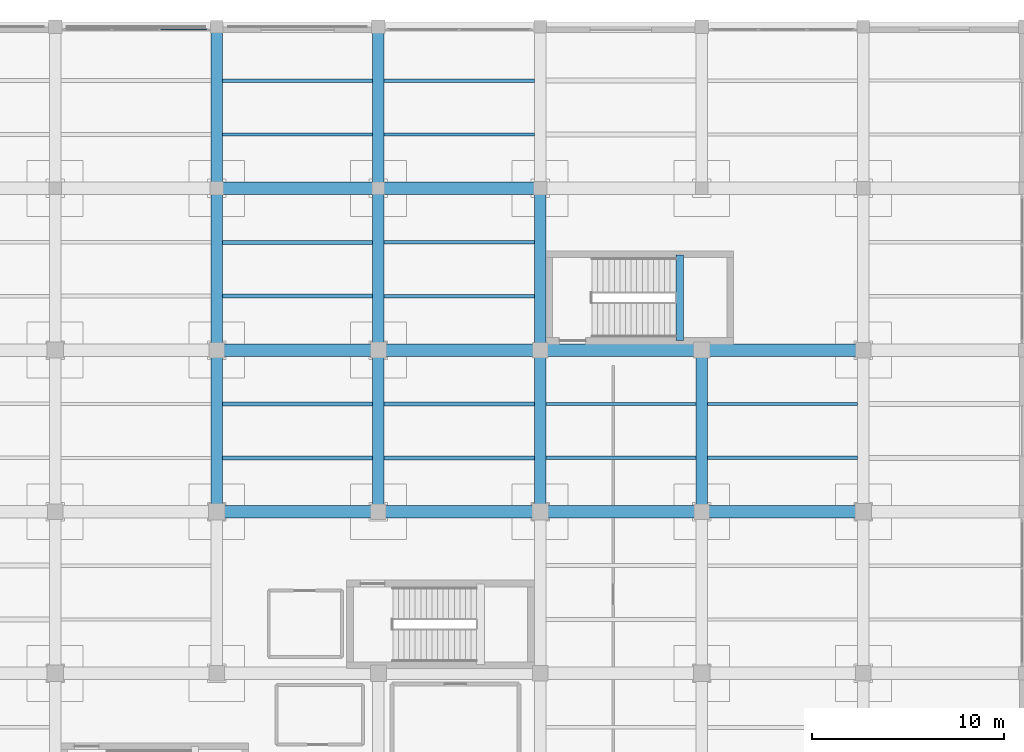
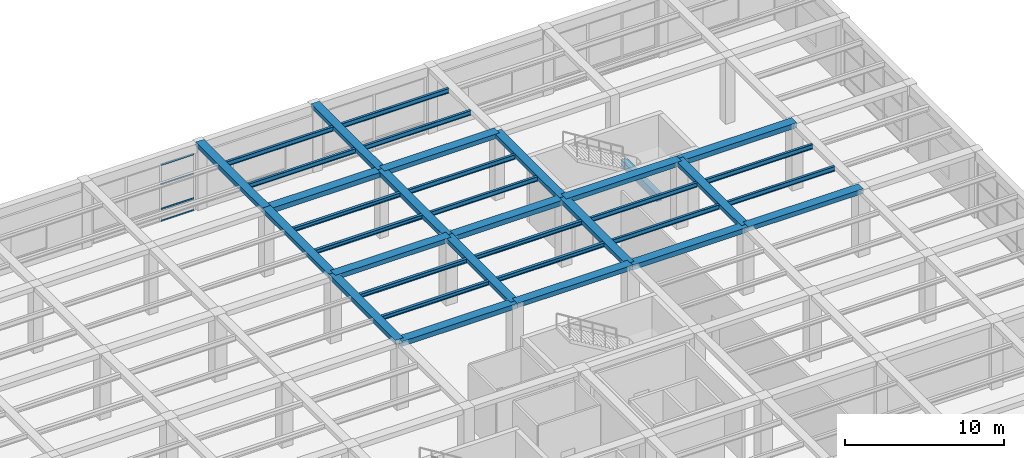
# One storey, part 59 of 96: 36 beams, 4 members, 1 element without a shape of its own.
"""IFC4 building model written with IfcOpenShell, lengths in metres."""

from ifc_helpers import new_model, si_unit, direction, frame, origin, origin_2d, place, context, subcontext, project, spatial, rectangle, hollow_rectangle, i_section, extrude, material, material_profile, profile_set, type_object, element, aggregate, save


model = new_model("IFC4")

# Units and contexts
model_context = context("Model", 3, precision=1e-05, world=origin(), true_north=direction((0.0, 1.0)))
body_context = subcontext(model_context, "Body", "Model", "MODEL_VIEW")
ifc_project = project(units=[si_unit("LENGTHUNIT", "METRE"), si_unit("AREAUNIT", "SQUARE_METRE"), si_unit("VOLUMEUNIT", "CUBIC_METRE"), si_unit("PLANEANGLEUNIT", "RADIAN"), si_unit("MASSUNIT", "GRAM", prefix="KILO")], contexts=[model_context])

# Site, building, storey
site_placement = place(None, origin())
site = spatial("IfcSite", under=ifc_project, at=site_placement, CompositionType="ELEMENT")
building_placement = place(site_placement, origin())
building = spatial("IfcBuilding", under=site, at=building_placement, Name="Almacenes y Pasaje Nevantli", CompositionType="ELEMENT")
storey_placement = place(building_placement, frame((0.0, 0.0, 6.0)))
storey = spatial("IfcBuildingStorey", under=building, at=storey_placement, Name="L02", CompositionType="ELEMENT", Elevation=6.0)

# Beams
ifc_material_1 = material(Name="Concrete C35/45", Category="concrete")
ifc_material_profile_1 = material_profile(ifc_material_1, rectangle(XDim=0.39990234375, YDim=0.60009765625, at=origin_2d()), Name="RC-BM-400x600")
ifc_profile_set_1 = profile_set([ifc_material_profile_1], Name="Concrete C35/45")
beam_type_1 = type_object("IfcBeamType", Name="BM-RC-400x600", PredefinedType="SPANDREL", material=ifc_profile_set_1)
beam_1_placement = place(storey_placement, frame((150.050048828125, 101.300048828125, 2.199951171875), z_axis=(0.0, 1.0, 0.0), x_axis=(-1.0, 0.0, 0.0)))
element("IfcBeam", 1, at=beam_1_placement, inside=storey, type_object=beam_type_1, Name="L02 Stair ST-07 Half-Landing Support Beam", PredefinedType="SPANDREL", context=body_context, shape_type="SweptSolid", body=[
    extrude(rectangle(XDim=0.39990234375, YDim=0.60009765625, at=origin_2d()), origin(), (0.0, 0.0, 1.0), 4.449951171875),
])
ifc_material_2 = material(Name="Concrete C35/45", Category="concrete")
ifc_material_profile_2 = material_profile(ifc_material_2, rectangle(XDim=0.60009765625, YDim=0.320068359375, at=origin_2d()), Name="RC-BM-600x320")
ifc_profile_set_2 = profile_set([ifc_material_profile_2], Name="Concrete C35/45")
beam_type_2 = type_object("IfcBeamType", Name="BM-RC-600x320", PredefinedType="BEAM", material=ifc_profile_set_2)
beam_2_placement = place(storey_placement, frame((126.0, 100.800048828125, 4.93994140625), z_axis=(0.0, 1.0, 0.0), x_axis=(-1.0, 0.0, 0.0)))
element("IfcBeam", 2, at=beam_2_placement, inside=storey, type_object=beam_type_2, Name="L02 North-South Reinforced Concrete Beam #2134", PredefinedType="BEAM", context=body_context, shape_type="SweptSolid", body=[
    extrude(rectangle(XDim=0.60009765625, YDim=0.320068359375, at=origin_2d()), origin(), (0.0, 0.0, 1.0), 8.39990234375),
])
for number, where, z_axis, x_axis, name in (
    (3, (134.39990234375, 92.39990234375, 4.93994140625), (0.0, 1.0, 0.0), (-1.0, 0.0, 0.0), "L02 North-South Reinforced Concrete Beam #2145"),
    (4, (134.39990234375, 109.199951171875, 4.93994140625), (0.0, 1.0, 0.0), (-1.0, 0.0, 0.0), "L02 North-South Reinforced Concrete Beam #2147"),
):
    element("IfcBeam", number, at=place(storey_placement, frame(where, z_axis=z_axis, x_axis=x_axis)), inside=storey, type_object=beam_type_2, Name=name, PredefinedType="BEAM", context=body_context, shape_type="SweptSolid", body=[
        extrude(rectangle(XDim=0.60009765625, YDim=0.320068359375, at=origin_2d()), origin(), (0.0, 0.0, 1.0), 8.400146484375),
    ])
beam_3_placement = place(storey_placement, frame((142.800048828125, 100.800048828125, 4.93994140625), z_axis=(0.0, 1.0, 0.0), x_axis=(-1.0, 0.0, 0.0)))
element("IfcBeam", 5, at=beam_3_placement, inside=storey, type_object=beam_type_2, Name="L02 North-South Reinforced Concrete Beam #2160", PredefinedType="BEAM", context=body_context, shape_type="SweptSolid", body=[
    extrude(rectangle(XDim=0.60009765625, YDim=0.320068359375, at=origin_2d()), origin(), (0.0, 0.0, 1.0), 8.39990234375),
])
beam_4_placement = place(storey_placement, frame((151.199951171875, 92.39990234375, 4.93994140625), z_axis=(0.0, 1.0, 0.0), x_axis=(-1.0, 0.0, 0.0)))
element("IfcBeam", 6, at=beam_4_placement, inside=storey, type_object=beam_type_2, Name="L02 North-South Reinforced Concrete Beam #2173", PredefinedType="BEAM", context=body_context, shape_type="SweptSolid", body=[
    extrude(rectangle(XDim=0.60009765625, YDim=0.320068359375, at=origin_2d()), origin(), (0.0, 0.0, 1.0), 8.400146484375),
])
ifc_material_3 = material(Name="Concrete C35/45", Category="concrete")
ifc_material_profile_3 = material_profile(ifc_material_3, rectangle(XDim=0.60009765625, YDim=0.340087890625, at=origin_2d()), Name="RC-BM-600x340")
ifc_profile_set_3 = profile_set([ifc_material_profile_3], Name="Concrete C35/45")
beam_type_3 = type_object("IfcBeamType", Name="BM-RC-600x340", PredefinedType="BEAM", material=ifc_profile_set_3)
for number, where, z_axis, x_axis, name in (
    (7, (126.0, 92.39990234375, 4.929931640625), (0.0, 1.0, 0.0), (-1.0, 0.0, 0.0), "L02 North-South Reinforced Concrete Beam #2133"),
    (8, (126.0, 109.199951171875, 4.929931640625), (0.0, 1.0, 0.0), (-1.0, 0.0, 0.0), "L02 North-South Reinforced Concrete Beam #2135"),
):
    element("IfcBeam", number, at=place(storey_placement, frame(where, z_axis=z_axis, x_axis=x_axis)), inside=storey, type_object=beam_type_3, Name=name, PredefinedType="BEAM", context=body_context, shape_type="SweptSolid", body=[
        extrude(rectangle(XDim=0.60009765625, YDim=0.340087890625, at=origin_2d()), origin(), (0.0, 0.0, 1.0), 8.400146484375),
    ])
beam_5_placement = place(storey_placement, frame((134.39990234375, 100.800048828125, 4.929931640625), z_axis=(0.0, 1.0, 0.0), x_axis=(-1.0, 0.0, 0.0)))
element("IfcBeam", 9, at=beam_5_placement, inside=storey, type_object=beam_type_3, Name="L02 North-South Reinforced Concrete Beam #2146", PredefinedType="BEAM", context=body_context, shape_type="SweptSolid", body=[
    extrude(rectangle(XDim=0.60009765625, YDim=0.340087890625, at=origin_2d()), origin(), (0.0, 0.0, 1.0), 8.39990234375),
])
beam_6_placement = place(storey_placement, frame((142.800048828125, 92.39990234375, 4.929931640625), z_axis=(0.0, 1.0, 0.0), x_axis=(-1.0, 0.0, 0.0)))
element("IfcBeam", 10, at=beam_6_placement, inside=storey, type_object=beam_type_3, Name="L02 North-South Reinforced Concrete Beam #2159", PredefinedType="BEAM", context=body_context, shape_type="SweptSolid", body=[
    extrude(rectangle(XDim=0.60009765625, YDim=0.340087890625, at=origin_2d()), origin(), (0.0, 0.0, 1.0), 8.400146484375),
])
ifc_material_4 = material(Name="Concrete C35/45", Category="concrete")
ifc_material_profile_4 = material_profile(ifc_material_4, rectangle(XDim=0.64990234375, YDim=0.35009765625, at=origin_2d()), Name="RC-BM-650x350")
ifc_profile_set_4 = profile_set([ifc_material_profile_4], Name="Concrete C35/45")
beam_type_4 = type_object("IfcBeamType", Name="BM-RC-650x350", PredefinedType="BEAM", material=ifc_profile_set_4)
for number, where, z_axis, x_axis, name in (
    (11, (134.39990234375, 92.39990234375, 4.925048828125), (1.0, 0.0, 0.0), (0.0, 1.0, 0.0), "L02 East-West Reinforced Concrete Beam #1908"),
    (12, (151.199951171875, 92.39990234375, 4.925048828125), (1.0, 0.0, 0.0), (0.0, 1.0, 0.0), "L02 East-West Reinforced Concrete Beam #1910"),
):
    element("IfcBeam", number, at=place(storey_placement, frame(where, z_axis=z_axis, x_axis=x_axis)), inside=storey, type_object=beam_type_4, Name=name, PredefinedType="BEAM", context=body_context, shape_type="SweptSolid", body=[
        extrude(rectangle(XDim=0.64990234375, YDim=0.35009765625, at=origin_2d()), origin(), (0.0, 0.0, 1.0), 8.400146484375),
    ])
for number, where, z_axis, x_axis, name in (
    (13, (126.0, 100.800048828125, 4.925048828125), (1.0, 0.0, 0.0), (0.0, 1.0, 0.0), "L02 East-West Reinforced Concrete Beam #1924"),
    (14, (142.800048828125, 100.800048828125, 4.925048828125), (1.0, 0.0, 0.0), (0.0, 1.0, 0.0), "L02 East-West Reinforced Concrete Beam #1926"),
):
    element("IfcBeam", number, at=place(storey_placement, frame(where, z_axis=z_axis, x_axis=x_axis)), inside=storey, type_object=beam_type_4, Name=name, PredefinedType="BEAM", context=body_context, shape_type="SweptSolid", body=[
        extrude(rectangle(XDim=0.64990234375, YDim=0.35009765625, at=origin_2d()), origin(), (0.0, 0.0, 1.0), 8.39990234375),
    ])
beam_7_placement = place(storey_placement, frame((134.39990234375, 109.199951171875, 4.925048828125), z_axis=(1.0, 0.0, 0.0), x_axis=(0.0, 1.0, 0.0)))
element("IfcBeam", 15, at=beam_7_placement, inside=storey, type_object=beam_type_4, Name="L02 East-West Reinforced Concrete Beam #1942", PredefinedType="BEAM", context=body_context, shape_type="SweptSolid", body=[
    extrude(rectangle(XDim=0.64990234375, YDim=0.35009765625, at=origin_2d()), origin(), (0.0, 0.0, 1.0), 8.400146484375),
])
ifc_material_5 = material(Name="Concrete C35/45", Category="concrete")
ifc_material_profile_5 = material_profile(ifc_material_5, rectangle(XDim=0.64990234375, YDim=0.3798828125, at=origin_2d()), Name="RC-BM-650x380")
ifc_profile_set_5 = profile_set([ifc_material_profile_5], Name="Concrete C35/45")
beam_type_5 = type_object("IfcBeamType", Name="BM-RC-650x380", PredefinedType="BEAM", material=ifc_profile_set_5)
for number, where, z_axis, x_axis, name in (
    (16, (126.0, 92.39990234375, 4.909912109375), (1.0, 0.0, 0.0), (0.0, 1.0, 0.0), "L02 East-West Reinforced Concrete Beam #1907"),
    (17, (142.800048828125, 92.39990234375, 4.909912109375), (1.0, 0.0, 0.0), (0.0, 1.0, 0.0), "L02 East-West Reinforced Concrete Beam #1909"),
):
    element("IfcBeam", number, at=place(storey_placement, frame(where, z_axis=z_axis, x_axis=x_axis)), inside=storey, type_object=beam_type_5, Name=name, PredefinedType="BEAM", context=body_context, shape_type="SweptSolid", body=[
        extrude(rectangle(XDim=0.64990234375, YDim=0.3798828125, at=origin_2d()), origin(), (0.0, 0.0, 1.0), 8.39990234375),
    ])
for number, where, z_axis, x_axis, name in (
    (18, (134.39990234375, 100.800048828125, 4.909912109375), (1.0, 0.0, 0.0), (0.0, 1.0, 0.0), "L02 East-West Reinforced Concrete Beam #1925"),
    (19, (151.199951171875, 100.800048828125, 4.909912109375), (1.0, 0.0, 0.0), (0.0, 1.0, 0.0), "L02 East-West Reinforced Concrete Beam #1927"),
):
    element("IfcBeam", number, at=place(storey_placement, frame(where, z_axis=z_axis, x_axis=x_axis)), inside=storey, type_object=beam_type_5, Name=name, PredefinedType="BEAM", context=body_context, shape_type="SweptSolid", body=[
        extrude(rectangle(XDim=0.64990234375, YDim=0.3798828125, at=origin_2d()), origin(), (0.0, 0.0, 1.0), 8.400146484375),
    ])
beam_8_placement = place(storey_placement, frame((126.0, 109.199951171875, 4.909912109375), z_axis=(1.0, 0.0, 0.0), x_axis=(0.0, 1.0, 0.0)))
element("IfcBeam", 20, at=beam_8_placement, inside=storey, type_object=beam_type_5, Name="L02 East-West Reinforced Concrete Beam #1941", PredefinedType="BEAM", context=body_context, shape_type="SweptSolid", body=[
    extrude(rectangle(XDim=0.64990234375, YDim=0.3798828125, at=origin_2d()), origin(), (0.0, 0.0, 1.0), 8.39990234375),
])
ifc_material_6 = material(Name="Steel ASTM A992", Category="steel")
ifc_material_profile_6 = material_profile(ifc_material_6, i_section(OverallWidth=0.202880859375, OverallDepth=0.304931640625, WebThickness=0.007568359375, FlangeThickness=0.01318359375, at=origin_2d()), Name="IR 305x59.5")
ifc_profile_set_6 = profile_set([ifc_material_profile_6], Name="Steel ASTM A992")
beam_type_6 = type_object("IfcBeamType", Name="BM-STL-IR-305x59p5", PredefinedType="JOIST", material=ifc_profile_set_6)
for number, where, z_axis, x_axis, name in (
    (21, (126.300048828125, 95.199951171875, 4.939453125), (1.0, 0.0, 0.0), (0.0, 1.0, 0.0), "L02 Secondary Steel Floor Joist #571"),
    (22, (126.300048828125, 98.0, 4.939453125), (1.0, 0.0, 0.0), (0.0, 1.0, 0.0), "L02 Secondary Steel Floor Joist #572"),
):
    element("IfcBeam", number, at=place(storey_placement, frame(where, z_axis=z_axis, x_axis=x_axis)), inside=storey, type_object=beam_type_6, Name=name, PredefinedType="JOIST", context=body_context, shape_type="SweptSolid", body=[
        extrude(i_section(OverallWidth=0.202880859375, OverallDepth=0.304931640625, WebThickness=0.007568359375, FlangeThickness=0.01318359375, at=origin_2d()), origin(), (0.0, 0.0, 1.0), 7.800048828125),
    ])
ifc_material_7 = material(Name="Steel ASTM A992", Category="steel")
ifc_material_profile_7 = material_profile(ifc_material_7, i_section(OverallWidth=0.205078125, OverallDepth=0.31005859375, WebThickness=0.009521484375, FlangeThickness=0.016357421875, at=origin_2d()), Name="IR 305x74.4")
ifc_profile_set_7 = profile_set([ifc_material_profile_7], Name="Steel ASTM A992")
beam_type_7 = type_object("IfcBeamType", Name="BM-STL-IR-305x74p4", PredefinedType="JOIST", material=ifc_profile_set_7)
for number, where, z_axis, x_axis, name in (
    (23, (126.300048828125, 103.60009765625, 4.93701171875), (1.0, 0.0, 0.0), (0.0, 1.0, 0.0), "L02 Secondary Steel Floor Joist #573"),
    (24, (126.300048828125, 106.39990234375, 4.93701171875), (1.0, 0.0, 0.0), (0.0, 1.0, 0.0), "L02 Secondary Steel Floor Joist #574"),
    (25, (134.699951171875, 95.199951171875, 4.93701171875), (1.0, 0.0, 0.0), (0.0, 1.0, 0.0), "L02 Secondary Steel Floor Joist #593"),
    (26, (134.699951171875, 98.0, 4.93701171875), (1.0, 0.0, 0.0), (0.0, 1.0, 0.0), "L02 Secondary Steel Floor Joist #594"),
):
    element("IfcBeam", number, at=place(storey_placement, frame(where, z_axis=z_axis, x_axis=x_axis)), inside=storey, type_object=beam_type_7, Name=name, PredefinedType="JOIST", context=body_context, shape_type="SweptSolid", body=[
        extrude(i_section(OverallWidth=0.205078125, OverallDepth=0.31005859375, WebThickness=0.009521484375, FlangeThickness=0.016357421875, at=origin_2d()), origin(), (0.0, 0.0, 1.0), 7.800048828125),
    ])
ifc_material_8 = material(Name="Steel ASTM A992", Category="steel")
ifc_material_profile_8 = material_profile(ifc_material_8, i_section(OverallWidth=0.173095703125, OverallDepth=0.35302734375, WebThickness=0.0078125, FlangeThickness=0.01318359375, at=origin_2d()), Name="IR 356x56.6")
ifc_profile_set_8 = profile_set([ifc_material_profile_8], Name="Steel ASTM A992")
beam_type_8 = type_object("IfcBeamType", Name="BM-STL-IR-356x56p6", PredefinedType="JOIST", material=ifc_profile_set_8)
for number, where, z_axis, x_axis, name in (
    (27, (126.300048828125, 112.0, 4.91552734375), (1.0, 0.0, 0.0), (0.0, 1.0, 0.0), "L02 Secondary Steel Floor Joist #575"),
    (28, (126.300048828125, 114.800048828125, 4.91552734375), (1.0, 0.0, 0.0), (0.0, 1.0, 0.0), "L02 Secondary Steel Floor Joist #576"),
    (29, (134.699951171875, 103.60009765625, 4.91552734375), (1.0, 0.0, 0.0), (0.0, 1.0, 0.0), "L02 Secondary Steel Floor Joist #595"),
    (30, (134.699951171875, 106.39990234375, 4.91552734375), (1.0, 0.0, 0.0), (0.0, 1.0, 0.0), "L02 Secondary Steel Floor Joist #596"),
):
    element("IfcBeam", number, at=place(storey_placement, frame(where, z_axis=z_axis, x_axis=x_axis)), inside=storey, type_object=beam_type_8, Name=name, PredefinedType="JOIST", context=body_context, shape_type="SweptSolid", body=[
        extrude(i_section(OverallWidth=0.173095703125, OverallDepth=0.35302734375, WebThickness=0.0078125, FlangeThickness=0.01318359375, at=origin_2d()), origin(), (0.0, 0.0, 1.0), 7.800048828125),
    ])
for number, where, z_axis, x_axis, name in (
    (31, (143.10009765625, 95.199951171875, 4.91552734375), (1.0, 0.0, 0.0), (0.0, 1.0, 0.0), "L02 Secondary Steel Floor Joist #619"),
    (32, (143.10009765625, 98.0, 4.91552734375), (1.0, 0.0, 0.0), (0.0, 1.0, 0.0), "L02 Secondary Steel Floor Joist #620"),
):
    element("IfcBeam", number, at=place(storey_placement, frame(where, z_axis=z_axis, x_axis=x_axis)), inside=storey, type_object=beam_type_8, Name=name, PredefinedType="JOIST", context=body_context, shape_type="SweptSolid", body=[
        extrude(i_section(OverallWidth=0.173095703125, OverallDepth=0.35302734375, WebThickness=0.0078125, FlangeThickness=0.01318359375, at=origin_2d()), origin(), (0.0, 0.0, 1.0), 7.7998046875),
    ])
ifc_material_9 = material(Name="Steel ASTM A992", Category="steel")
ifc_material_profile_9 = material_profile(ifc_material_9, i_section(OverallWidth=0.173095703125, OverallDepth=0.364013671875, WebThickness=0.009033203125, FlangeThickness=0.015625, at=origin_2d()), Name="IR 356x67.0")
ifc_profile_set_9 = profile_set([ifc_material_profile_9], Name="Steel ASTM A992")
beam_type_9 = type_object("IfcBeamType", Name="BM-STL-IR-356x67p0", PredefinedType="JOIST", material=ifc_profile_set_9)
for number, where, z_axis, x_axis, name in (
    (33, (134.699951171875, 112.0, 4.909912109375), (1.0, 0.0, 0.0), (0.0, 1.0, 0.0), "L02 Secondary Steel Floor Joist #597"),
    (34, (134.699951171875, 114.800048828125, 4.909912109375), (1.0, 0.0, 0.0), (0.0, 1.0, 0.0), "L02 Secondary Steel Floor Joist #598"),
    (35, (151.5, 95.199951171875, 4.909912109375), (1.0, 0.0, 0.0), (0.0, 1.0, 0.0), "L02 Secondary Steel Floor Joist #645"),
    (36, (151.5, 98.0, 4.909912109375), (1.0, 0.0, 0.0), (0.0, 1.0, 0.0), "L02 Secondary Steel Floor Joist #646"),
):
    element("IfcBeam", number, at=place(storey_placement, frame(where, z_axis=z_axis, x_axis=x_axis)), inside=storey, type_object=beam_type_9, Name=name, PredefinedType="JOIST", context=body_context, shape_type="SweptSolid", body=[
        extrude(i_section(OverallWidth=0.173095703125, OverallDepth=0.364013671875, WebThickness=0.009033203125, FlangeThickness=0.015625, at=origin_2d()), origin(), (0.0, 0.0, 1.0), 7.800048828125),
    ])

# Curtain wall, members
ifc_material_10 = material(Name="Thermally Broken Aluminium and Low-E Glass", Category="aluminium")
curtain_wall_type = type_object("IfcCurtainWallType", Name="CW-STF-BLVD", PredefinedType="USERDEFINED", material=ifc_material_10)
curtain_wall_placement = place(storey_placement, origin())
curtain_wall = element("IfcCurtainWall", 37, at=curtain_wall_placement, inside=storey, type_object=curtain_wall_type, Name="L02 North Boulevard Retail Curtain Wall Bay 15", ObjectType="STOREFRONT GLAZING", PredefinedType="USERDEFINED")
ifc_material_11 = material(Name="Thermally Broken Anodized Aluminium", Category="aluminium")
ifc_material_profile_10 = material_profile(ifc_material_11, hollow_rectangle(XDim=0.06005859375, YDim=0.1201171875, WallThickness=0.00341796875, at=origin_2d()), Name="ALU-TRN-60x120")
ifc_profile_set_10 = profile_set([ifc_material_profile_10], Name="Thermally Broken Anodized Aluminium")
member_type = type_object("IfcMemberType", Name="CW-TRN-130", PredefinedType="USERDEFINED", material=ifc_profile_set_10)
member_1_placement = place(storey_placement, frame((123.080078125, 117.449951171875, 0.030029296875), z_axis=(1.0, 0.0, 0.0), x_axis=(0.0, 1.0, 0.0)))
member_1 = element("IfcMember", 38, at=member_1_placement, type_object=member_type, Name="CW-L02-009 transom 3.1", ObjectType="TRANSOM", PredefinedType="USERDEFINED", context=body_context, shape_type="SweptSolid", body=[
    extrude(hollow_rectangle(XDim=0.06005859375, YDim=0.1201171875, WallThickness=0.00341796875, at=origin_2d()), origin(), (0.0, 0.0, 1.0), 2.409912109375),
])
member_2_placement = place(storey_placement, frame((123.080078125, 117.449951171875, 0.949951171875), z_axis=(1.0, 0.0, 0.0), x_axis=(0.0, 1.0, 0.0)))
member_2 = element("IfcMember", 39, at=member_2_placement, type_object=member_type, Name="CW-L02-009 transom 3.2", ObjectType="TRANSOM", PredefinedType="USERDEFINED", context=body_context, shape_type="SweptSolid", body=[
    extrude(hollow_rectangle(XDim=0.06005859375, YDim=0.1201171875, WallThickness=0.00341796875, at=origin_2d()), origin(), (0.0, 0.0, 1.0), 2.409912109375),
])
member_3_placement = place(storey_placement, frame((123.080078125, 117.449951171875, 2.85009765625), z_axis=(1.0, 0.0, 0.0), x_axis=(0.0, 1.0, 0.0)))
member_3 = element("IfcMember", 40, at=member_3_placement, type_object=member_type, Name="CW-L02-009 transom 3.3", ObjectType="TRANSOM", PredefinedType="USERDEFINED", context=body_context, shape_type="SweptSolid", body=[
    extrude(hollow_rectangle(XDim=0.06005859375, YDim=0.1201171875, WallThickness=0.00341796875, at=origin_2d()), origin(), (0.0, 0.0, 1.0), 2.409912109375),
])
member_4_placement = place(storey_placement, frame((123.080078125, 117.449951171875, 4.35009765625), z_axis=(1.0, 0.0, 0.0), x_axis=(0.0, 1.0, 0.0)))
member_4 = element("IfcMember", 41, at=member_4_placement, type_object=member_type, Name="CW-L02-009 transom 3.4", ObjectType="TRANSOM", PredefinedType="USERDEFINED", context=body_context, shape_type="SweptSolid", body=[
    extrude(hollow_rectangle(XDim=0.06005859375, YDim=0.1201171875, WallThickness=0.00341796875, at=origin_2d()), origin(), (0.0, 0.0, 1.0), 2.409912109375),
])
aggregate(curtain_wall, [member_1, member_2, member_3, member_4])

save(model, "model.ifc")
